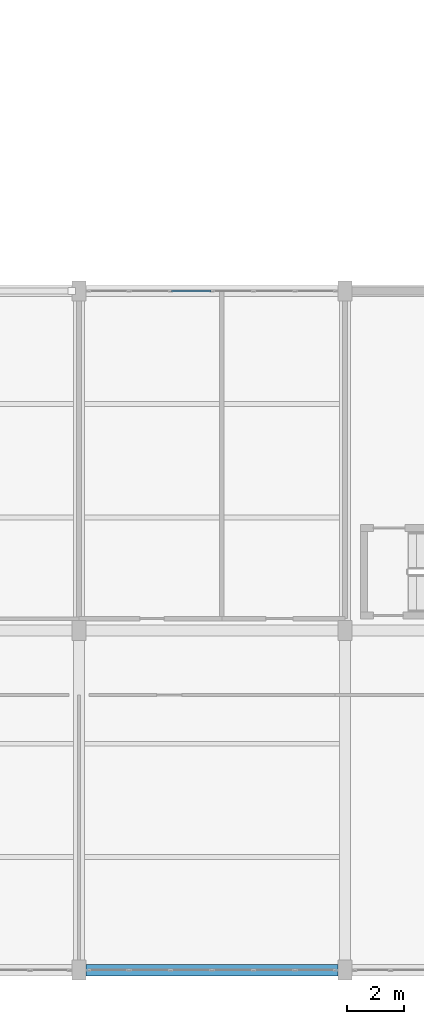
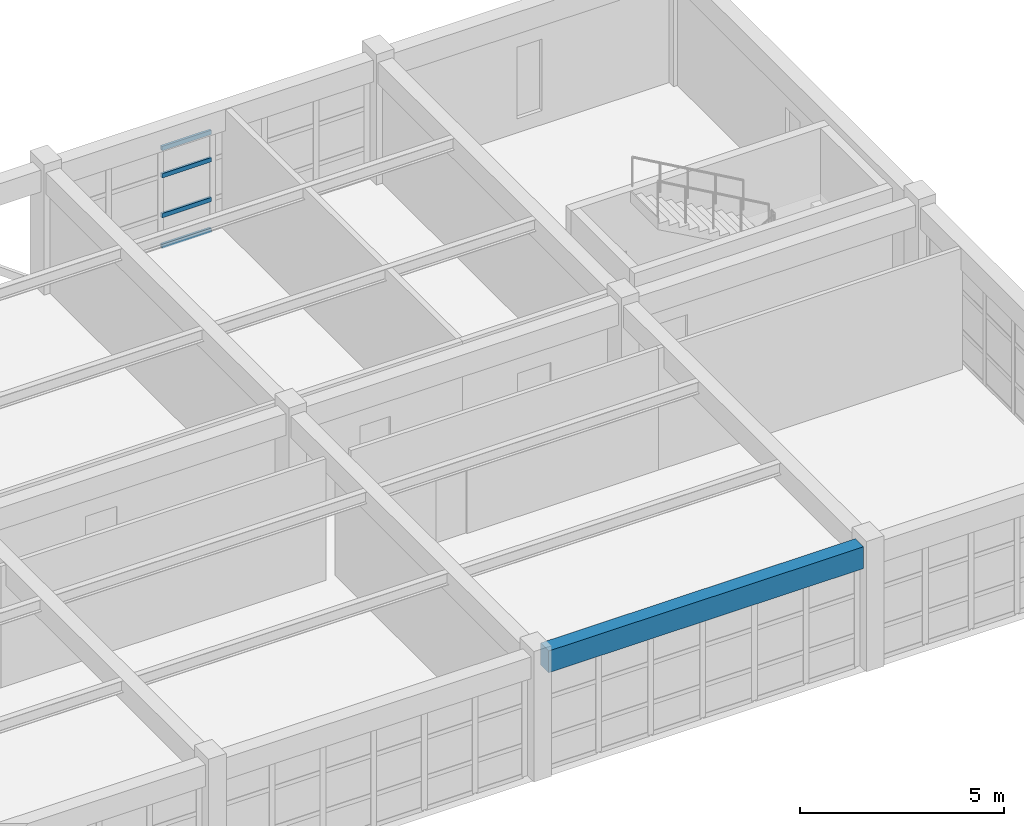
# One storey, part 30 of 150: 4 members, 1 beam, 1 element without a shape of its own.
"""IFC4 building model written with IfcOpenShell, lengths in metres."""

import ifcopenshell
import ifcopenshell.guid

model = None  # the IFC model being written
_history = None  # IfcOwnerHistory: only IFC2X3 demands one
_inside = {}  # id of a spatial element -> (the spatial element, [elements in it])
_under = {}  # id of a project, library or spatial element -> (it, [spatial elements below it])
_declared = {}  # id of a project -> (the project, [libraries it declares])
_typed = {}  # id of a type object -> (the type object, [elements of that type])
_made_of = {}  # id of a material, layer set ... -> (it, [elements and type objects made of it])


def new_model(schema):
    """Start an empty IFC model of exactly this schema.

    Asked for "IFC4X3", IfcOpenShell would pick the latest addendum, in which some entities
    have other attributes; the version numbers below select the first issue.
    IFC2X3 requires an IfcOwnerHistory on every rooted entity: one is made here for all.
    """
    global model, _history
    if schema == "IFC4X3":
        model = ifcopenshell.file(schema_version=(4, 3, 0, 0))
    else:
        model = ifcopenshell.file(schema=schema)
    _inside.clear()
    _under.clear()
    _declared.clear()
    _typed.clear()
    _made_of.clear()
    _history = None
    if model.schema == "IFC2X3":
        org = make("IfcOrganization", Name="unknown")
        user = make(
            "IfcPersonAndOrganization",
            ThePerson=make("IfcPerson", FamilyName="unknown"),
            TheOrganization=org,
        )
        app = make(
            "IfcApplication",
            ApplicationDeveloper=org,
            Version="unknown",
            ApplicationFullName="unknown",
            ApplicationIdentifier="unknown",
        )
        _history = make(
            "IfcOwnerHistory",
            OwningUser=user,
            OwningApplication=app,
            ChangeAction="ADDED",
            CreationDate=0,
        )
    return model


def make(cls, **values):
    """One entity of the class cls with the attributes given. An attribute that is None is left unset."""
    return model.create_entity(
        cls, **{name: value for name, value in values.items() if value is not None}
    )


def rooted(cls, **values):
    """An entity with a GlobalId (a new one), such as an element, a storey or a relation."""
    return make(cls, GlobalId=ifcopenshell.guid.new(), OwnerHistory=_history, **values)


def si_unit(unit_type, name, prefix=None):
    """IfcSIUnit, for example si_unit("LENGTHUNIT", "METRE", prefix="MILLI")."""
    return make("IfcSIUnit", UnitType=unit_type, Prefix=prefix, Name=name)


def assignment(units):
    """IfcUnitAssignment: the units of a project."""
    return None if units is None else make("IfcUnitAssignment", Units=units)


def point(xyz):
    """IfcCartesianPoint."""
    return None if xyz is None else make("IfcCartesianPoint", Coordinates=xyz)


def direction(xyz):
    """IfcDirection."""
    return None if xyz is None else make("IfcDirection", DirectionRatios=xyz)


def frame(location, z_axis=None, x_axis=None):
    """IfcAxis2Placement3D, a coordinate frame: its origin and axes. An axis left out is left unset."""
    return make(
        "IfcAxis2Placement3D",
        Location=point(location),
        Axis=direction(z_axis),
        RefDirection=direction(x_axis),
    )


def frame_2d(location, x_axis=None):
    """IfcAxis2Placement2D, a coordinate frame in the plane: its origin and x axis."""
    return make(
        "IfcAxis2Placement2D", Location=point(location), RefDirection=direction(x_axis)
    )


def origin():
    """The frame at (0, 0, 0) with its axes left unset."""
    return frame((0.0, 0.0, 0.0))


def origin_2d():
    """The frame at (0, 0) in the plane with its x axis left unset."""
    return frame_2d((0.0, 0.0))


def place(relative_to, where):
    """IfcLocalPlacement: puts the frame where relative to a parent placement (None: the world)."""
    return make(
        "IfcLocalPlacement", PlacementRelTo=relative_to, RelativePlacement=where
    )


def context(
    kind, dimensions, precision=None, world=None, true_north=None, identifier=None
):
    """IfcGeometricRepresentationContext, for example the 3D "Model" context."""
    return make(
        "IfcGeometricRepresentationContext",
        ContextIdentifier=identifier,
        ContextType=kind,
        CoordinateSpaceDimension=dimensions,
        Precision=precision,
        WorldCoordinateSystem=world,
        TrueNorth=true_north,
    )


def subcontext(parent, identifier, kind, view, scale=None):
    """IfcGeometricRepresentationSubContext, for example "Body" below "Model"."""
    return make(
        "IfcGeometricRepresentationSubContext",
        ContextIdentifier=identifier,
        ContextType=kind,
        ParentContext=parent,
        TargetScale=scale,
        TargetView=view,
    )


def project(units=None, contexts=None):
    """IfcProject with its units and contexts."""
    return rooted(
        "IfcProject",
        Name="project",
        RepresentationContexts=contexts,
        UnitsInContext=assignment(units),
    )


def spatial(cls, under=None, at=None, **own):
    """A site, building, storey or space (cls), placed at a placement, below another one or the project."""
    s = rooted(cls, ObjectPlacement=at, **own)
    if under is not None:
        _under.setdefault(under.id(), (under, []))[1].append(s)
    return s


def profile(cls, at=None, kind="AREA", **sizes):
    """A parametric profile (cls). Its sizes go by their IFC names, for example OverallWidth=200.0."""
    return make(cls, ProfileType=kind, Position=at, **sizes)


def rectangle(**sizes):
    """IfcRectangleProfileDef."""
    return profile("IfcRectangleProfileDef", **sizes)


def hollow_rectangle(**sizes):
    """IfcRectangleHollowProfileDef."""
    return profile("IfcRectangleHollowProfileDef", **sizes)


def extrude(swept, where, along, depth):
    """IfcExtrudedAreaSolid: the profile swept, set in the frame where, extruded along a direction by depth."""
    return make(
        "IfcExtrudedAreaSolid",
        SweptArea=swept,
        Position=where,
        ExtrudedDirection=direction(along),
        Depth=depth,
    )


def shape(context_of_items, identifier, shape_type, items):
    """IfcShapeRepresentation: the items that make up one representation, for example the "Body"."""
    return make(
        "IfcShapeRepresentation",
        ContextOfItems=context_of_items,
        RepresentationIdentifier=identifier,
        RepresentationType=shape_type,
        Items=items,
    )


def material(Name=None, Category=None):
    """IfcMaterial."""
    return make("IfcMaterial", Name=Name, Category=Category)


def material_profile(
    of_material, cross_section, Name=None, Category=None, Priority=None
):
    """IfcMaterialProfile: a cross section and its material."""
    return make(
        "IfcMaterialProfile",
        Name=Name,
        Material=of_material,
        Profile=cross_section,
        Priority=Priority,
        Category=Category,
    )


def profile_set(profiles, Name=None, composite=None):
    """IfcMaterialProfileSet."""
    return make(
        "IfcMaterialProfileSet",
        Name=Name,
        MaterialProfiles=profiles,
        CompositeProfile=composite,
    )


def made_of(thing, what):
    """Note that an element or type object is made of a material, layer set ...; save() writes the relation."""
    if what is not None:
        _made_of.setdefault(what.id(), (what, []))[1].append(thing)
    return thing


def type_object(cls, material=None, **own):
    """A type object (cls), such as IfcWallType, which elements share."""
    return made_of(rooted(cls, **own), material)


def element(
    cls,
    number,
    at=None,
    inside=None,
    cuts=None,
    type_object=None,
    material=None,
    context=None,
    identifier="Body",
    shape_type=None,
    held_by="IfcProductDefinitionShape",
    body=None,
    shapes=None,
    **own,
):
    """One element of the class cls, such as IfcWall. Its Tag is "e" and its number.

    at: its placement. inside: the storey or other place that contains it. cuts: it is an
    opening in that element (IfcRelVoidsElement). A single representation is given by context,
    identifier, shape_type and body (its items); several are given by shapes. held_by: the class
    of the entity that holds the representations. save() writes the other relations.
    """
    e = rooted(cls, Tag="e%d" % number, ObjectPlacement=at, **own)
    if body is not None:
        shapes = [shape(context, identifier, shape_type, body)]
    if shapes is not None:
        e.Representation = make(held_by, Representations=shapes)
    if inside is not None:
        _inside.setdefault(inside.id(), (inside, []))[1].append(e)
    if cuts is not None:
        rooted(
            "IfcRelVoidsElement", RelatingBuildingElement=cuts, RelatedOpeningElement=e
        )
    if type_object is not None:
        _typed.setdefault(type_object.id(), (type_object, []))[1].append(e)
    return made_of(e, material)


def aggregate(whole, parts):
    """IfcRelAggregates: a whole, such as a stair, and the parts it consists of."""
    return rooted("IfcRelAggregates", RelatingObject=whole, RelatedObjects=parts)


def save(model, path):
    """Write the relations noted so far, then the file.

    IfcRelAggregates (storeys below a building ...), IfcRelContainedInSpatialStructure (elements
    in a storey), IfcRelDefinesByType, IfcRelAssociatesMaterial and IfcRelDeclares: one each for
    every whole, place, type object, material and project.
    """
    for whole, parts in _under.values():
        aggregate(whole, parts)
    for where, things in _inside.values():
        rooted(
            "IfcRelContainedInSpatialStructure",
            RelatedElements=things,
            RelatingStructure=where,
        )
    for kind, things in _typed.values():
        rooted("IfcRelDefinesByType", RelatedObjects=things, RelatingType=kind)
    for what, things in _made_of.values():
        rooted("IfcRelAssociatesMaterial", RelatedObjects=things, RelatingMaterial=what)
    for by, libraries in _declared.values():
        rooted("IfcRelDeclares", RelatingContext=by, RelatedDefinitions=libraries)
    model.write(path)


model = new_model("IFC4")

# Units and contexts
model_context = context("Model", 3, precision=1e-05, world=origin(), true_north=direction((0.0, 1.0)))
body_context = subcontext(model_context, "Body", "Model", "MODEL_VIEW")
ifc_project = project(units=[si_unit("LENGTHUNIT", "METRE"), si_unit("AREAUNIT", "SQUARE_METRE"), si_unit("VOLUMEUNIT", "CUBIC_METRE"), si_unit("PLANEANGLEUNIT", "RADIAN"), si_unit("MASSUNIT", "GRAM", prefix="KILO")], contexts=[model_context])

# Site, building, storey
site_placement = place(None, origin())
site = spatial("IfcSite", under=ifc_project, at=site_placement, CompositionType="ELEMENT")
building_placement = place(site_placement, origin())
building = spatial("IfcBuilding", under=site, at=building_placement, Name="Kestramere Prow Commons", CompositionType="ELEMENT")
storey_placement = place(building_placement, frame((0.0, 0.0, 4.5)))
storey = spatial("IfcBuildingStorey", under=building, at=storey_placement, Name="L01", CompositionType="ELEMENT", Elevation=4.5)

# Beam
ifc_material_1 = material(Name="Precast concrete C40/50", Category="concrete")
ifc_material_profile_1 = material_profile(ifc_material_1, rectangle(XDim=0.39990234375, YDim=0.64990234375, at=origin_2d()), Name="PC-BM 400x650")
ifc_profile_set_1 = profile_set([ifc_material_profile_1], Name="Precast concrete C40/50")
beam_type = type_object("IfcBeamType", Name="BM-MK-01 PC-BM 400x650 (EX)", PredefinedType="BEAM", material=ifc_profile_set_1)
beam_placement = place(storey_placement, frame((94.449951171875, 0.0, 3.324951171875), z_axis=(1.0, 0.0, 0.0), x_axis=(0.0, 1.0, 0.0)))
element("IfcBeam", 1, at=beam_placement, inside=storey, type_object=beam_type, Name="Market Spine L01 Beam X 1-5", PredefinedType="BEAM", context=body_context, shape_type="SweptSolid", body=[
    extrude(rectangle(XDim=0.39990234375, YDim=0.64990234375, at=origin_2d()), origin(), (0.0, 0.0, 1.0), 8.900146484375),
])

# Curtain wall, members
ifc_material_2 = material(Name="Anodised Aluminium and Low-E Glass", Category="aluminium")
curtain_wall_type = type_object("IfcCurtainWallType", Name="CW-26 Glazed Curtain Wall 8800x2990", PredefinedType="USERDEFINED", material=ifc_material_2)
curtain_wall_placement = place(storey_placement, origin())
curtain_wall = element("IfcCurtainWall", 2, at=curtain_wall_placement, inside=storey, type_object=curtain_wall_type, Name="Market L01 Courtyard Shopfront 5", ObjectType="GLAZED CURTAIN WALL", PredefinedType="USERDEFINED")
ifc_material_3 = material(Name="Anodised Aluminium 6063-T6", Category="aluminium")
ifc_material_profile_2 = material_profile(ifc_material_3, hollow_rectangle(XDim=0.06494140625, YDim=0.1298828125, WallThickness=0.00390625, at=origin_2d()), Name="ALU-TRN 65x130")
ifc_profile_set_2 = profile_set([ifc_material_profile_2], Name="Anodised Aluminium 6063-T6")
member_type = type_object("IfcMemberType", Name="CW-TRN-65x130", PredefinedType="USERDEFINED", material=ifc_profile_set_2)
member_1_placement = place(storey_placement, frame((97.4658203125, 24.0, 0.032470703125), z_axis=(1.0, 0.0, 0.0), x_axis=(0.0, 1.0, 0.0)))
member_1 = element("IfcMember", 3, at=member_1_placement, type_object=member_type, Name="CW-26 transom 3.1", ObjectType="TRANSOM", PredefinedType="USERDEFINED", context=body_context, shape_type="SweptSolid", body=[
    extrude(hollow_rectangle(XDim=0.06494140625, YDim=0.1298828125, WallThickness=0.00390625, at=origin_2d()), origin(), (0.0, 0.0, 1.0), 1.401611328125),
])
member_2_placement = place(storey_placement, frame((97.4658203125, 24.0, 0.949951171875), z_axis=(1.0, 0.0, 0.0), x_axis=(0.0, 1.0, 0.0)))
member_2 = element("IfcMember", 4, at=member_2_placement, type_object=member_type, Name="CW-26 transom 3.2", ObjectType="TRANSOM", PredefinedType="USERDEFINED", context=body_context, shape_type="SweptSolid", body=[
    extrude(hollow_rectangle(XDim=0.06494140625, YDim=0.1298828125, WallThickness=0.00390625, at=origin_2d()), origin(), (0.0, 0.0, 1.0), 1.401611328125),
])
member_3_placement = place(storey_placement, frame((97.4658203125, 24.0, 2.139892578125), z_axis=(1.0, 0.0, 0.0), x_axis=(0.0, 1.0, 0.0)))
member_3 = element("IfcMember", 5, at=member_3_placement, type_object=member_type, Name="CW-26 transom 3.3", ObjectType="TRANSOM", PredefinedType="USERDEFINED", context=body_context, shape_type="SweptSolid", body=[
    extrude(hollow_rectangle(XDim=0.06494140625, YDim=0.1298828125, WallThickness=0.00390625, at=origin_2d()), origin(), (0.0, 0.0, 1.0), 1.401611328125),
])
member_4_placement = place(storey_placement, frame((97.4658203125, 24.0, 2.95751953125), z_axis=(1.0, 0.0, 0.0), x_axis=(0.0, 1.0, 0.0)))
member_4 = element("IfcMember", 6, at=member_4_placement, type_object=member_type, Name="CW-26 transom 3.4", ObjectType="TRANSOM", PredefinedType="USERDEFINED", context=body_context, shape_type="SweptSolid", body=[
    extrude(hollow_rectangle(XDim=0.06494140625, YDim=0.1298828125, WallThickness=0.00390625, at=origin_2d()), origin(), (0.0, 0.0, 1.0), 1.401611328125),
])
aggregate(curtain_wall, [member_1, member_2, member_3, member_4])

save(model, "model.ifc")
